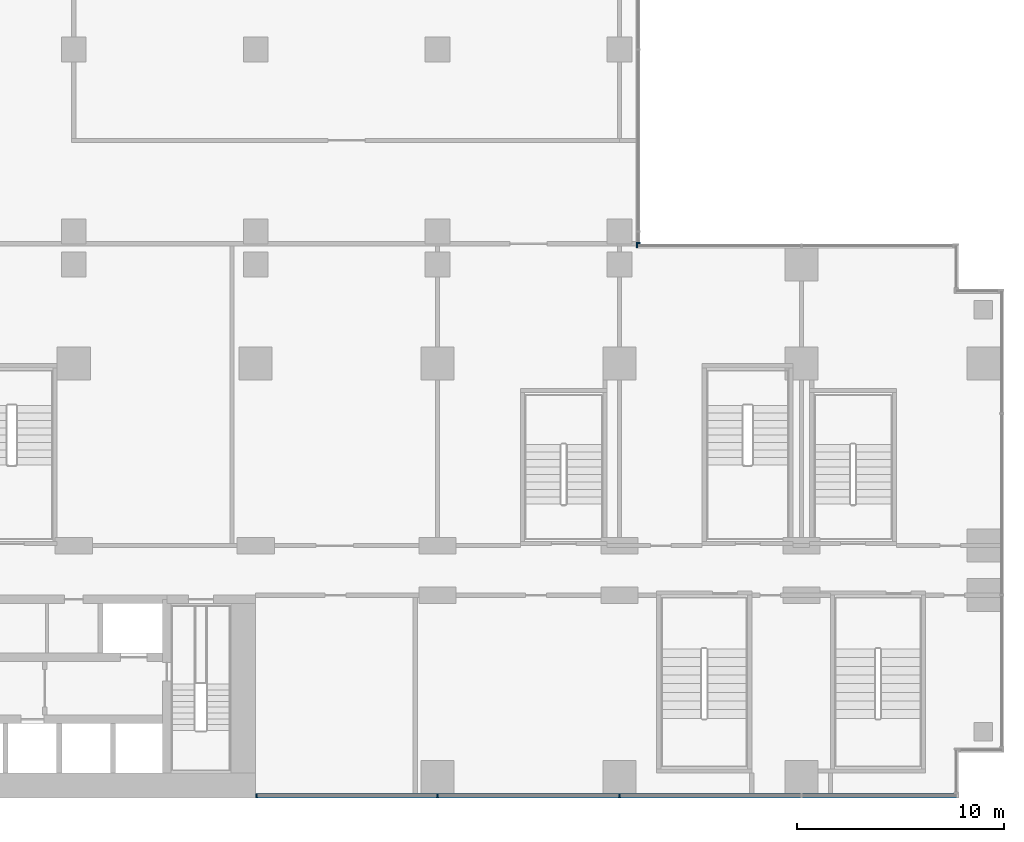
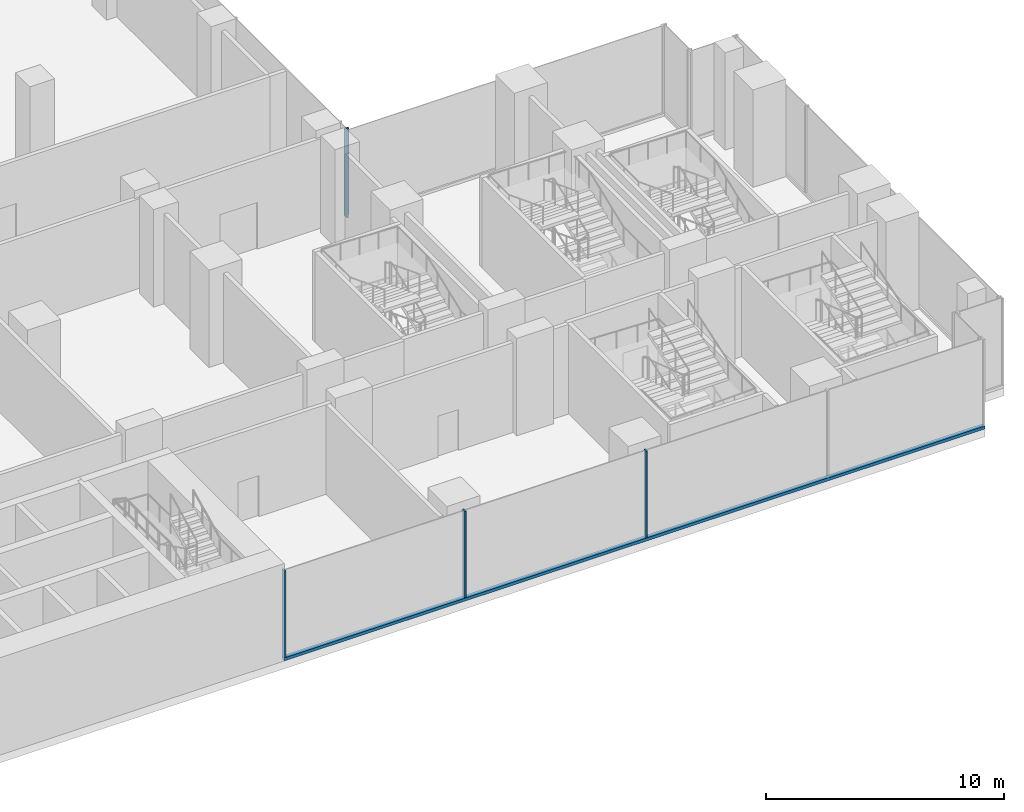
# One storey, part 3 of 30: 6 members, 3 elements without a shape of their own.
"""IFC4 building model written with IfcOpenShell, lengths in metres."""

import ifcopenshell
import ifcopenshell.guid

model = None  # the IFC model being written
_history = None  # IfcOwnerHistory: only IFC2X3 demands one
_inside = {}  # id of a spatial element -> (the spatial element, [elements in it])
_under = {}  # id of a project, library or spatial element -> (it, [spatial elements below it])
_declared = {}  # id of a project -> (the project, [libraries it declares])
_typed = {}  # id of a type object -> (the type object, [elements of that type])
_made_of = {}  # id of a material, layer set ... -> (it, [elements and type objects made of it])


def new_model(schema):
    """Start an empty IFC model of exactly this schema.

    Asked for "IFC4X3", IfcOpenShell would pick the latest addendum, in which some entities
    have other attributes; the version numbers below select the first issue.
    IFC2X3 requires an IfcOwnerHistory on every rooted entity: one is made here for all.
    """
    global model, _history
    if schema == "IFC4X3":
        model = ifcopenshell.file(schema_version=(4, 3, 0, 0))
    else:
        model = ifcopenshell.file(schema=schema)
    _inside.clear()
    _under.clear()
    _declared.clear()
    _typed.clear()
    _made_of.clear()
    _history = None
    if model.schema == "IFC2X3":
        org = make("IfcOrganization", Name="unknown")
        user = make(
            "IfcPersonAndOrganization",
            ThePerson=make("IfcPerson", FamilyName="unknown"),
            TheOrganization=org,
        )
        app = make(
            "IfcApplication",
            ApplicationDeveloper=org,
            Version="unknown",
            ApplicationFullName="unknown",
            ApplicationIdentifier="unknown",
        )
        _history = make(
            "IfcOwnerHistory",
            OwningUser=user,
            OwningApplication=app,
            ChangeAction="ADDED",
            CreationDate=0,
        )
    return model


def make(cls, **values):
    """One entity of the class cls with the attributes given. An attribute that is None is left unset."""
    return model.create_entity(
        cls, **{name: value for name, value in values.items() if value is not None}
    )


def rooted(cls, **values):
    """An entity with a GlobalId (a new one), such as an element, a storey or a relation."""
    return make(cls, GlobalId=ifcopenshell.guid.new(), OwnerHistory=_history, **values)


def si_unit(unit_type, name, prefix=None):
    """IfcSIUnit, for example si_unit("LENGTHUNIT", "METRE", prefix="MILLI")."""
    return make("IfcSIUnit", UnitType=unit_type, Prefix=prefix, Name=name)


def assignment(units):
    """IfcUnitAssignment: the units of a project."""
    return None if units is None else make("IfcUnitAssignment", Units=units)


def point(xyz):
    """IfcCartesianPoint."""
    return None if xyz is None else make("IfcCartesianPoint", Coordinates=xyz)


def direction(xyz):
    """IfcDirection."""
    return None if xyz is None else make("IfcDirection", DirectionRatios=xyz)


def frame(location, z_axis=None, x_axis=None):
    """IfcAxis2Placement3D, a coordinate frame: its origin and axes. An axis left out is left unset."""
    return make(
        "IfcAxis2Placement3D",
        Location=point(location),
        Axis=direction(z_axis),
        RefDirection=direction(x_axis),
    )


def frame_2d(location, x_axis=None):
    """IfcAxis2Placement2D, a coordinate frame in the plane: its origin and x axis."""
    return make(
        "IfcAxis2Placement2D", Location=point(location), RefDirection=direction(x_axis)
    )


def origin():
    """The frame at (0, 0, 0) with its axes left unset."""
    return frame((0.0, 0.0, 0.0))


def origin_2d():
    """The frame at (0, 0) in the plane with its x axis left unset."""
    return frame_2d((0.0, 0.0))


def place(relative_to, where):
    """IfcLocalPlacement: puts the frame where relative to a parent placement (None: the world)."""
    return make(
        "IfcLocalPlacement", PlacementRelTo=relative_to, RelativePlacement=where
    )


def context(
    kind, dimensions, precision=None, world=None, true_north=None, identifier=None
):
    """IfcGeometricRepresentationContext, for example the 3D "Model" context."""
    return make(
        "IfcGeometricRepresentationContext",
        ContextIdentifier=identifier,
        ContextType=kind,
        CoordinateSpaceDimension=dimensions,
        Precision=precision,
        WorldCoordinateSystem=world,
        TrueNorth=true_north,
    )


def subcontext(parent, identifier, kind, view, scale=None):
    """IfcGeometricRepresentationSubContext, for example "Body" below "Model"."""
    return make(
        "IfcGeometricRepresentationSubContext",
        ContextIdentifier=identifier,
        ContextType=kind,
        ParentContext=parent,
        TargetScale=scale,
        TargetView=view,
    )


def project(units=None, contexts=None):
    """IfcProject with its units and contexts."""
    return rooted(
        "IfcProject",
        Name="project",
        RepresentationContexts=contexts,
        UnitsInContext=assignment(units),
    )


def spatial(cls, under=None, at=None, **own):
    """A site, building, storey or space (cls), placed at a placement, below another one or the project."""
    s = rooted(cls, ObjectPlacement=at, **own)
    if under is not None:
        _under.setdefault(under.id(), (under, []))[1].append(s)
    return s


def profile(cls, at=None, kind="AREA", **sizes):
    """A parametric profile (cls). Its sizes go by their IFC names, for example OverallWidth=200.0."""
    return make(cls, ProfileType=kind, Position=at, **sizes)


def rectangle(**sizes):
    """IfcRectangleProfileDef."""
    return profile("IfcRectangleProfileDef", **sizes)


def extrude(swept, where, along, depth):
    """IfcExtrudedAreaSolid: the profile swept, set in the frame where, extruded along a direction by depth."""
    return make(
        "IfcExtrudedAreaSolid",
        SweptArea=swept,
        Position=where,
        ExtrudedDirection=direction(along),
        Depth=depth,
    )


def shape(context_of_items, identifier, shape_type, items):
    """IfcShapeRepresentation: the items that make up one representation, for example the "Body"."""
    return make(
        "IfcShapeRepresentation",
        ContextOfItems=context_of_items,
        RepresentationIdentifier=identifier,
        RepresentationType=shape_type,
        Items=items,
    )


def source(mapping_origin, context_of_items, identifier, shape_type, items):
    """IfcRepresentationMap: a shape defined once, which mapped items show again and again."""
    return make(
        "IfcRepresentationMap",
        MappingOrigin=mapping_origin,
        MappedRepresentation=shape(context_of_items, identifier, shape_type, items),
    )


def transform(
    local_origin,
    x_axis=None,
    y_axis=None,
    z_axis=None,
    scale=None,
    scale2=None,
    scale3=None,
    uniform=True,
):
    """IfcCartesianTransformationOperator3D, or its non-uniform kind. x_axis, y_axis, z_axis: its Axis1, 2, 3."""
    if uniform:
        return make(
            "IfcCartesianTransformationOperator3D",
            Axis1=direction(x_axis),
            Axis2=direction(y_axis),
            LocalOrigin=point(local_origin),
            Scale=scale,
            Axis3=direction(z_axis),
        )
    return make(
        "IfcCartesianTransformationOperator3DnonUniform",
        Axis1=direction(x_axis),
        Axis2=direction(y_axis),
        LocalOrigin=point(local_origin),
        Scale=scale,
        Axis3=direction(z_axis),
        Scale2=scale2,
        Scale3=scale3,
    )


def mapped(mapping_source, mapping_target):
    """IfcMappedItem: shows the shape of a source again, moved by a transform."""
    return make(
        "IfcMappedItem", MappingSource=mapping_source, MappingTarget=mapping_target
    )


def material(Name=None, Category=None):
    """IfcMaterial."""
    return make("IfcMaterial", Name=Name, Category=Category)


def material_profile(
    of_material, cross_section, Name=None, Category=None, Priority=None
):
    """IfcMaterialProfile: a cross section and its material."""
    return make(
        "IfcMaterialProfile",
        Name=Name,
        Material=of_material,
        Profile=cross_section,
        Priority=Priority,
        Category=Category,
    )


def profile_set(profiles, Name=None, composite=None):
    """IfcMaterialProfileSet."""
    return make(
        "IfcMaterialProfileSet",
        Name=Name,
        MaterialProfiles=profiles,
        CompositeProfile=composite,
    )


def made_of(thing, what):
    """Note that an element or type object is made of a material, layer set ...; save() writes the relation."""
    if what is not None:
        _made_of.setdefault(what.id(), (what, []))[1].append(thing)
    return thing


def type_object(cls, material=None, **own):
    """A type object (cls), such as IfcWallType, which elements share."""
    return made_of(rooted(cls, **own), material)


def element(
    cls,
    number,
    at=None,
    inside=None,
    cuts=None,
    type_object=None,
    material=None,
    context=None,
    identifier="Body",
    shape_type=None,
    held_by="IfcProductDefinitionShape",
    body=None,
    shapes=None,
    **own,
):
    """One element of the class cls, such as IfcWall. Its Tag is "e" and its number.

    at: its placement. inside: the storey or other place that contains it. cuts: it is an
    opening in that element (IfcRelVoidsElement). A single representation is given by context,
    identifier, shape_type and body (its items); several are given by shapes. held_by: the class
    of the entity that holds the representations. save() writes the other relations.
    """
    e = rooted(cls, Tag="e%d" % number, ObjectPlacement=at, **own)
    if body is not None:
        shapes = [shape(context, identifier, shape_type, body)]
    if shapes is not None:
        e.Representation = make(held_by, Representations=shapes)
    if inside is not None:
        _inside.setdefault(inside.id(), (inside, []))[1].append(e)
    if cuts is not None:
        rooted(
            "IfcRelVoidsElement", RelatingBuildingElement=cuts, RelatedOpeningElement=e
        )
    if type_object is not None:
        _typed.setdefault(type_object.id(), (type_object, []))[1].append(e)
    return made_of(e, material)


def aggregate(whole, parts):
    """IfcRelAggregates: a whole, such as a stair, and the parts it consists of."""
    return rooted("IfcRelAggregates", RelatingObject=whole, RelatedObjects=parts)


def save(model, path):
    """Write the relations noted so far, then the file.

    IfcRelAggregates (storeys below a building ...), IfcRelContainedInSpatialStructure (elements
    in a storey), IfcRelDefinesByType, IfcRelAssociatesMaterial and IfcRelDeclares: one each for
    every whole, place, type object, material and project.
    """
    for whole, parts in _under.values():
        aggregate(whole, parts)
    for where, things in _inside.values():
        rooted(
            "IfcRelContainedInSpatialStructure",
            RelatedElements=things,
            RelatingStructure=where,
        )
    for kind, things in _typed.values():
        rooted("IfcRelDefinesByType", RelatedObjects=things, RelatingType=kind)
    for what, things in _made_of.values():
        rooted("IfcRelAssociatesMaterial", RelatedObjects=things, RelatingMaterial=what)
    for by, libraries in _declared.values():
        rooted("IfcRelDeclares", RelatingContext=by, RelatedDefinitions=libraries)
    model.write(path)


model = new_model("IFC4")

# Units and contexts
model_context = context("Model", 3, precision=1e-05, world=origin(), true_north=direction((0.0, 1.0)))
body_context = subcontext(model_context, "Body", "Model", "MODEL_VIEW")
ifc_project = project(units=[si_unit("LENGTHUNIT", "METRE"), si_unit("AREAUNIT", "SQUARE_METRE"), si_unit("VOLUMEUNIT", "CUBIC_METRE"), si_unit("PLANEANGLEUNIT", "RADIAN"), si_unit("MASSUNIT", "GRAM", prefix="KILO")], contexts=[model_context])

# Site, building, storey
site_placement = place(None, origin())
site = spatial("IfcSite", under=ifc_project, at=site_placement, CompositionType="ELEMENT")
building_placement = place(site_placement, origin())
building = spatial("IfcBuilding", under=site, at=building_placement, Name="Kemantara Hotel Tower", CompositionType="ELEMENT")
storey_placement = place(building_placement, frame((0.0, 0.0, 13.0)))
storey = spatial("IfcBuildingStorey", under=building, at=storey_placement, Name="L02", CompositionType="ELEMENT", Elevation=13.0)

# Curtain wall, members
ifc_material_1 = material(Name="Laminated tinted insulated glass 44 mm", Category="glass")
curtain_wall_type = type_object("IfcCurtainWallType", Name="PODIUM GLASS CURTAIN WALL", PredefinedType="USERDEFINED", material=ifc_material_1)
curtain_wall_1_placement = place(storey_placement, origin())
curtain_wall_1 = element("IfcCurtainWall", 1, at=curtain_wall_1_placement, inside=storey, type_object=curtain_wall_type, Name="CW1 L02 POD-R01-2", ObjectType="PODIUM GLASS CURTAIN WALL", PredefinedType="USERDEFINED")
ifc_material_2 = material(Name="Aluminium 6063-T6 bronze anodised", Category="aluminium")
ifc_material_profile_1 = material_profile(ifc_material_2, rectangle(XDim=0.199951171875, YDim=0.14990234375, at=origin_2d()), Name="PODIUM GLASS CURTAIN WALL TRANSOM")
ifc_profile_set_1 = profile_set([ifc_material_profile_1], Name="Aluminium 6063-T6 bronze anodised")
member_type_1 = type_object("IfcMemberType", Name="PODIUM GLASS CURTAIN WALL TRANSOM", PredefinedType="USERDEFINED", material=ifc_profile_set_1)
member_1_placement = place(storey_placement, frame((45.0, 0.10009765625, 0.074951171875), z_axis=(1.0, 0.0, 0.0), x_axis=(0.0, 1.0, 0.0)))
member_1 = element("IfcMember", 2, at=member_1_placement, type_object=member_type_1, Name="CW1 sill transom POD-R01-2", ObjectType="TRANSOM", PredefinedType="USERDEFINED", context=body_context, shape_type="SweptSolid", body=[
    extrude(rectangle(XDim=0.199951171875, YDim=0.14990234375, at=origin_2d()), origin(), (0.0, 0.0, 1.0), 34.0),
])
ifc_material_profile_2 = material_profile(ifc_material_2, rectangle(XDim=0.199951171875, YDim=0.074951171875, at=origin_2d()), Name="PODIUM GLASS CURTAIN WALL MULLION")
ifc_profile_set_2 = profile_set([ifc_material_profile_2], Name="Aluminium 6063-T6 bronze anodised")
member_type_2 = type_object("IfcMemberType", Name="PODIUM GLASS CURTAIN WALL MULLION", PredefinedType="MULLION", material=ifc_profile_set_2)
shared_shape = source(origin(), body_context, "Body", "SweptSolid", [
    extrude(rectangle(XDim=0.199951171875, YDim=0.074951171875, at=origin_2d()), origin(), (0.0, 0.0, 1.0), 4.4501953125),
])
member_2_placement = place(storey_placement, frame((45.03759765625, 0.10009765625, 0.14990234375), z_axis=(0.0, 0.0, 1.0), x_axis=(0.0, 1.0, 0.0)))
member_2 = element("IfcMember", 3, at=member_2_placement, type_object=member_type_2, Name="CW1 mullion POD-R01-2.1", PredefinedType="MULLION", context=body_context, shape_type="MappedRepresentation", body=[
    mapped(shared_shape, transform((0.0, 0.0, 0.0))),
])
member_3_placement = place(storey_placement, frame((53.800048828125, 0.10009765625, 0.14990234375), z_axis=(0.0, 0.0, 1.0), x_axis=(0.0, 1.0, 0.0)))
member_3 = element("IfcMember", 4, at=member_3_placement, type_object=member_type_2, Name="CW1 mullion POD-R01-2.2", PredefinedType="MULLION", context=body_context, shape_type="MappedRepresentation", body=[
    mapped(shared_shape, transform((0.0, 0.0, 0.0))),
])
member_4_placement = place(storey_placement, frame((62.60009765625, 0.10009765625, 0.14990234375), z_axis=(0.0, 0.0, 1.0), x_axis=(0.0, 1.0, 0.0)))
member_4 = element("IfcMember", 5, at=member_4_placement, type_object=member_type_2, Name="CW1 mullion POD-R01-2.3", PredefinedType="MULLION", context=body_context, shape_type="MappedRepresentation", body=[
    mapped(shared_shape, transform((0.0, 0.0, 0.0))),
])
aggregate(curtain_wall_1, [member_1, member_2, member_3, member_4])

# Curtain wall, member
curtain_wall_2_placement = place(storey_placement, origin())
curtain_wall_2 = element("IfcCurtainWall", 6, at=curtain_wall_2_placement, inside=storey, type_object=curtain_wall_type, Name="CW1 L02 POD-R07-1", ObjectType="PODIUM GLASS CURTAIN WALL", PredefinedType="USERDEFINED")
member_5_placement = place(storey_placement, frame((63.4375, 26.699951171875, 0.14990234375), z_axis=(0.0, 0.0, 1.0), x_axis=(0.0, -1.0, 0.0)))
member_5 = element("IfcMember", 7, at=member_5_placement, type_object=member_type_2, Name="CW1 mullion POD-R07-1.3", PredefinedType="MULLION", context=body_context, shape_type="MappedRepresentation", body=[
    mapped(shared_shape, transform((0.0, 0.0, 0.0))),
])
aggregate(curtain_wall_2, [member_5])

curtain_wall_3_placement = place(storey_placement, origin())
curtain_wall_3 = element("IfcCurtainWall", 8, at=curtain_wall_3_placement, inside=storey, type_object=curtain_wall_type, Name="CW1 L02 POD-R08-1", ObjectType="PODIUM GLASS CURTAIN WALL", PredefinedType="USERDEFINED")
member_6_placement = place(storey_placement, frame((63.5, 26.83740234375, 0.14990234375), z_axis=(0.0, 0.0, 1.0), x_axis=(-1.0, 0.0, 0.0)))
member_6 = element("IfcMember", 9, at=member_6_placement, type_object=member_type_2, Name="CW1 mullion POD-R08-1.1", PredefinedType="MULLION", context=body_context, shape_type="MappedRepresentation", body=[
    mapped(shared_shape, transform((0.0, 0.0, 0.0))),
])
aggregate(curtain_wall_3, [member_6])

save(model, "model.ifc")
